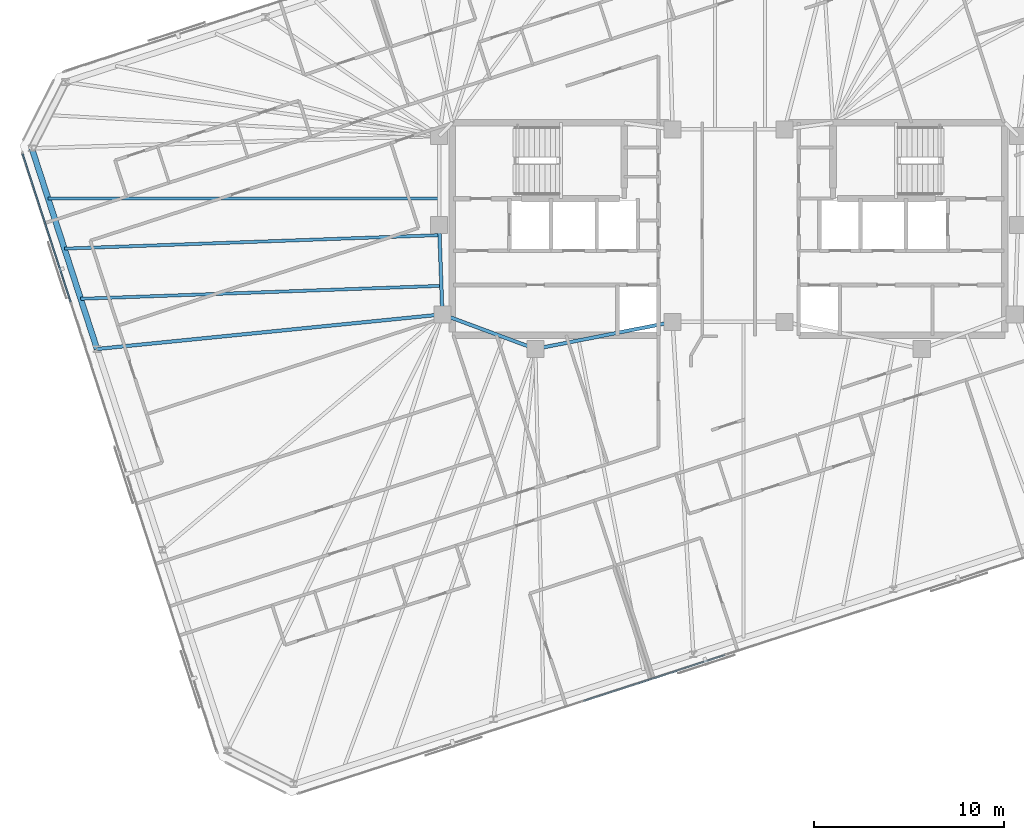
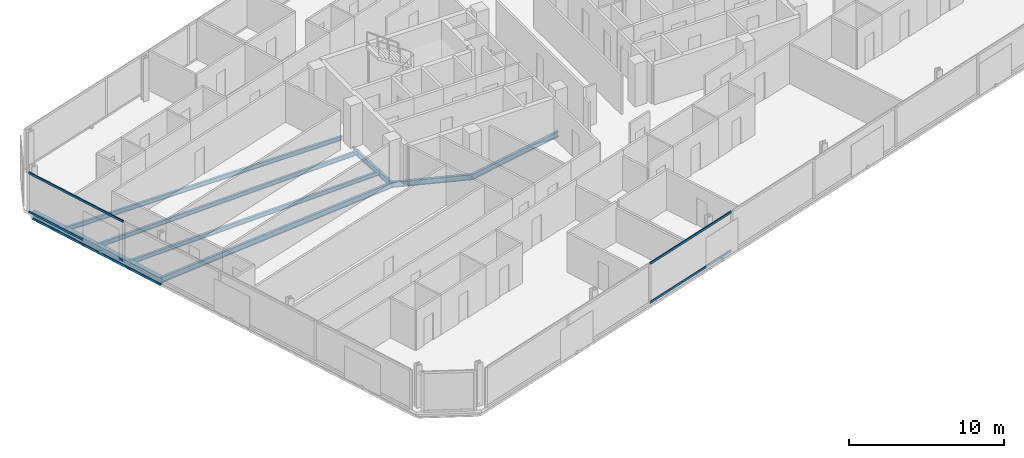
# One storey, part 6 of 20: 8 beams, 4 members, 2 elements without a shape of their own.
"""IFC4 building model written with IfcOpenShell, lengths in metres."""

from ifc_helpers import new_model, si_unit, direction, frame, origin, origin_2d, place, context, subcontext, project, spatial, rectangle, i_section, extrude, material, material_profile, profile_set, type_object, element, aggregate, save


model = new_model("IFC4")

# Units and contexts
model_context = context("Model", 3, precision=1e-05, world=origin(), true_north=direction((0.0, 1.0)))
body_context = subcontext(model_context, "Body", "Model", "MODEL_VIEW")
ifc_project = project(units=[si_unit("LENGTHUNIT", "METRE"), si_unit("AREAUNIT", "SQUARE_METRE"), si_unit("VOLUMEUNIT", "CUBIC_METRE"), si_unit("PLANEANGLEUNIT", "RADIAN"), si_unit("MASSUNIT", "GRAM", prefix="KILO")], contexts=[model_context])

# Site, building, storey
site_placement = place(None, origin())
site = spatial("IfcSite", under=ifc_project, at=site_placement, CompositionType="ELEMENT")
building_placement = place(site_placement, origin())
building = spatial("IfcBuilding", under=site, at=building_placement, Name="Menara Jurai Vektor", CompositionType="ELEMENT")
storey_placement = place(building_placement, frame((0.0, 0.0, 237.699951171875)))
storey = spatial("IfcBuildingStorey", under=building, at=storey_placement, Name="L63", CompositionType="ELEMENT", Elevation=237.699951171875)

# Curtain wall, members
ifc_material_1 = material(Name="Anodised Pale Aluminium & Low-E Double Glazing", Category="aluminium")
curtain_wall_type = type_object("IfcCurtainWallType", Name="CW-BLK4", PredefinedType="NOTDEFINED", material=ifc_material_1)
curtain_wall_1_placement = place(storey_placement, origin())
curtain_wall_1 = element("IfcCurtainWall", 1, at=curtain_wall_1_placement, inside=storey, type_object=curtain_wall_type, Name="Unitised Curtain Wall L63 F01", PredefinedType="NOTDEFINED")
ifc_material_2 = material(Name="Anodised Pale Aluminium Transom", Category="aluminium")
ifc_material_profile_1 = material_profile(ifc_material_2, rectangle(XDim=0.080078125, YDim=0.1650390625, at=origin_2d()), Name="ALU TRN 80x165")
ifc_profile_set_1 = profile_set([ifc_material_profile_1], Name="Anodised Pale Aluminium Transom")
member_type = type_object("IfcMemberType", Name="CW-BLK4-TRN", PredefinedType="USERDEFINED", material=ifc_profile_set_1)
member_1_placement = place(storey_placement, frame((-7.639404296875, -24.86669921875, 0.0400390625), z_axis=(0.951059330237, 0.309008333817, 0.0), x_axis=(-0.309008333817, 0.951059330237, 0.0)))
member_1 = element("IfcMember", 2, at=member_1_placement, type_object=member_type, Name="CW-04 transom 3.1", ObjectType="TRANSOM", PredefinedType="USERDEFINED", context=body_context, shape_type="SweptSolid", body=[
    extrude(rectangle(XDim=0.080078125, YDim=0.1650390625, at=origin_2d()), origin(), (0.0, 0.0, 1.0), 7.8115234375),
])
member_2_placement = place(storey_placement, frame((-7.639404296875, -24.86669921875, 3.0849609375), z_axis=(0.951059330237, 0.309008333817, 0.0), x_axis=(-0.309008333817, 0.951059330237, 0.0)))
member_2 = element("IfcMember", 3, at=member_2_placement, type_object=member_type, Name="CW-04 transom 3.2", ObjectType="TRANSOM", PredefinedType="USERDEFINED", context=body_context, shape_type="SweptSolid", body=[
    extrude(rectangle(XDim=0.080078125, YDim=0.1650390625, at=origin_2d()), origin(), (0.0, 0.0, 1.0), 7.8115234375),
])
aggregate(curtain_wall_1, [member_1, member_2])

curtain_wall_2_placement = place(storey_placement, origin())
curtain_wall_2 = element("IfcCurtainWall", 4, at=curtain_wall_2_placement, inside=storey, type_object=curtain_wall_type, Name="Unitised Curtain Wall L63 F07", PredefinedType="NOTDEFINED")
member_3_placement = place(storey_placement, frame((-37.19384765625, 3.950927734375, 0.0400390625), z_axis=(0.309010577384, -0.951058601278, 0.0), x_axis=(0.951058601278, 0.309010577384, 0.0)))
member_3 = element("IfcMember", 5, at=member_3_placement, type_object=member_type, Name="CW-04 transom 1.1", ObjectType="TRANSOM", PredefinedType="USERDEFINED", context=body_context, shape_type="SweptSolid", body=[
    extrude(rectangle(XDim=0.080078125, YDim=0.1650390625, at=origin_2d()), origin(), (0.0, 0.0, 1.0), 8.18994140625),
])
member_4_placement = place(storey_placement, frame((-37.19384765625, 3.950927734375, 3.0849609375), z_axis=(0.309010577384, -0.951058601278, 0.0), x_axis=(0.951058601278, 0.309010577384, 0.0)))
member_4 = element("IfcMember", 6, at=member_4_placement, type_object=member_type, Name="CW-04 transom 1.2", ObjectType="TRANSOM", PredefinedType="USERDEFINED", context=body_context, shape_type="SweptSolid", body=[
    extrude(rectangle(XDim=0.080078125, YDim=0.1650390625, at=origin_2d()), origin(), (0.0, 0.0, 1.0), 8.18994140625),
])
aggregate(curtain_wall_2, [member_3, member_4])

# Beams
ifc_material_3 = material(Name="Steel S355", Category="steel")
ifc_material_profile_2 = material_profile(ifc_material_3, i_section(OverallWidth=0.18505859375, OverallDepth=0.429931640625, WebThickness=0.010986328125, FlangeThickness=0.01806640625, at=origin_2d()), Name="PG 430x185x76")
ifc_profile_set_2 = profile_set([ifc_material_profile_2], Name="Steel S355")
beam_type_1 = type_object("IfcBeamType", Name="STR-BM-430", PredefinedType="BEAM", material=ifc_profile_set_2)
beam_1_placement = place(storey_placement, frame((-15.080078125, -4.5, -0.43994140625), z_axis=(-0.035977314146, 0.999352606874, 0.0), x_axis=(-0.999352606874, -0.035977314146, 0.0)))
element("IfcBeam", 7, at=beam_1_placement, inside=storey, type_object=beam_type_1, Name="Core Ring Header Girder L63-CHW-W2", PredefinedType="BEAM", context=body_context, shape_type="SweptSolid", body=[
    extrude(i_section(OverallWidth=0.18505859375, OverallDepth=0.429931640625, WebThickness=0.010986328125, FlangeThickness=0.01806640625, at=origin_2d()), origin(), (0.0, 0.0, 1.0), 4.72314453125),
])
beam_2_placement = place(storey_placement, frame((-15.080078125, -4.5, -0.43994140625), z_axis=(0.937424400887, -0.348188874925, 0.0), x_axis=(0.348188874925, 0.937424400887, 0.0)))
element("IfcBeam", 8, at=beam_2_placement, inside=storey, type_object=beam_type_1, Name="Core Ring Header Girder L63-CHW-S1", PredefinedType="BEAM", context=body_context, shape_type="SweptSolid", body=[
    extrude(i_section(OverallWidth=0.18505859375, OverallDepth=0.429931640625, WebThickness=0.010986328125, FlangeThickness=0.01806640625, at=origin_2d()), origin(), (0.0, 0.0, 1.0), 5.227294921875),
])
beam_3_placement = place(storey_placement, frame((-10.179931640625, -6.320068359375, -0.43994140625), z_axis=(0.981249044334, 0.192744164614, 0.0), x_axis=(-0.192744164614, 0.981249044334, 0.0)))
element("IfcBeam", 9, at=beam_3_placement, inside=storey, type_object=beam_type_1, Name="Core Ring Header Girder L63-CHW-S2", PredefinedType="BEAM", context=body_context, shape_type="SweptSolid", body=[
    extrude(i_section(OverallWidth=0.18505859375, OverallDepth=0.429931640625, WebThickness=0.010986328125, FlangeThickness=0.01806640625, at=origin_2d()), origin(), (0.0, 0.0, 1.0), 7.3681640625),
])
beam_4_placement = place(storey_placement, frame((-33.277587890625, -6.322509765625, -0.43994140625), z_axis=(0.995022243563, 0.099653072276, 0.0), x_axis=(-0.099653072276, 0.995022243563, 0.0)))
element("IfcBeam", 10, at=beam_4_placement, inside=storey, type_object=beam_type_1, Name="Radial Floor Girder L63-W2", PredefinedType="BEAM", context=body_context, shape_type="SweptSolid", body=[
    extrude(i_section(OverallWidth=0.18505859375, OverallDepth=0.429931640625, WebThickness=0.010986328125, FlangeThickness=0.01806640625, at=origin_2d()), origin(), (0.0, 0.0, 1.0), 18.28857421875),
])
ifc_material_profile_3 = material_profile(ifc_material_3, i_section(OverallWidth=0.1650390625, OverallDepth=0.330078125, WebThickness=0.009033203125, FlangeThickness=0.013916015625, at=origin_2d()), Name="PG 330x165x46")
ifc_profile_set_3 = profile_set([ifc_material_profile_3], Name="Steel S355")
beam_type_2 = type_object("IfcBeamType", Name="STR-JS-330", PredefinedType="JOIST", material=ifc_profile_set_3)
beam_5_placement = place(storey_placement, frame((-35.8544921875, 1.6083984375, -0.389892578125), z_axis=(1.0, 0.0, 0.0), x_axis=(0.0, 1.0, 0.0)))
element("IfcBeam", 11, at=beam_5_placement, inside=storey, type_object=beam_type_2, Name="Radial Secondary Floor Joist L63-JS28", PredefinedType="JOIST", context=body_context, shape_type="SweptSolid", body=[
    extrude(i_section(OverallWidth=0.1650390625, OverallDepth=0.330078125, WebThickness=0.009033203125, FlangeThickness=0.013916015625, at=origin_2d()), origin(), (0.0, 0.0, 1.0), 20.6044921875),
])
beam_6_placement = place(storey_placement, frame((-34.99560546875, -1.03515625, -0.389892578125), z_axis=(0.999351957959, 0.035995334734, 0.0), x_axis=(-0.035995334734, 0.999351957959, 0.0)))
element("IfcBeam", 12, at=beam_6_placement, inside=storey, type_object=beam_type_2, Name="Radial Secondary Floor Joist L63-JS29", PredefinedType="JOIST", context=body_context, shape_type="SweptSolid", body=[
    extrude(i_section(OverallWidth=0.1650390625, OverallDepth=0.330078125, WebThickness=0.009033203125, FlangeThickness=0.013916015625, at=origin_2d()), origin(), (0.0, 0.0, 1.0), 19.77783203125),
])
beam_7_placement = place(storey_placement, frame((-34.136474609375, -3.6787109375, -0.389892578125), z_axis=(0.999352161922, 0.035989671603, 0.0), x_axis=(-0.035989671603, 0.999352161922, 0.0)))
element("IfcBeam", 13, at=beam_7_placement, inside=storey, type_object=beam_type_2, Name="Radial Secondary Floor Joist L63-JS30", PredefinedType="JOIST", context=body_context, shape_type="SweptSolid", body=[
    extrude(i_section(OverallWidth=0.1650390625, OverallDepth=0.330078125, WebThickness=0.009033203125, FlangeThickness=0.013916015625, at=origin_2d()), origin(), (0.0, 0.0, 1.0), 19.014404296875),
])
ifc_material_profile_4 = material_profile(ifc_material_3, i_section(OverallWidth=0.306884765625, OverallDepth=0.6201171875, WebThickness=0.013916015625, FlangeThickness=0.02392578125, FilletRadius=0.01708984375, at=origin_2d()), Name="UKB 610x305x179")
ifc_profile_set_4 = profile_set([ifc_material_profile_4], Name="Steel S355")
beam_type_3 = type_object("IfcBeamType", Name="STR-SP-610", PredefinedType="SPANDREL", material=ifc_profile_set_4)
beam_8_placement = place(storey_placement, frame((-36.71337890625, 4.251953125, -0.534912109375), z_axis=(0.309012092614, -0.95105810896, 0.0), x_axis=(0.95105810896, 0.309012092614, 0.0)))
element("IfcBeam", 14, at=beam_8_placement, inside=storey, type_object=beam_type_3, Name="Exoskeleton Spandrel Beam L63-17", PredefinedType="SPANDREL", context=body_context, shape_type="SweptSolid", body=[
    extrude(i_section(OverallWidth=0.306884765625, OverallDepth=0.6201171875, WebThickness=0.013916015625, FlangeThickness=0.02392578125, FilletRadius=0.01708984375, at=origin_2d()), origin(), (0.0, 0.0, 1.0), 11.11865234375),
])

save(model, "model.ifc")
